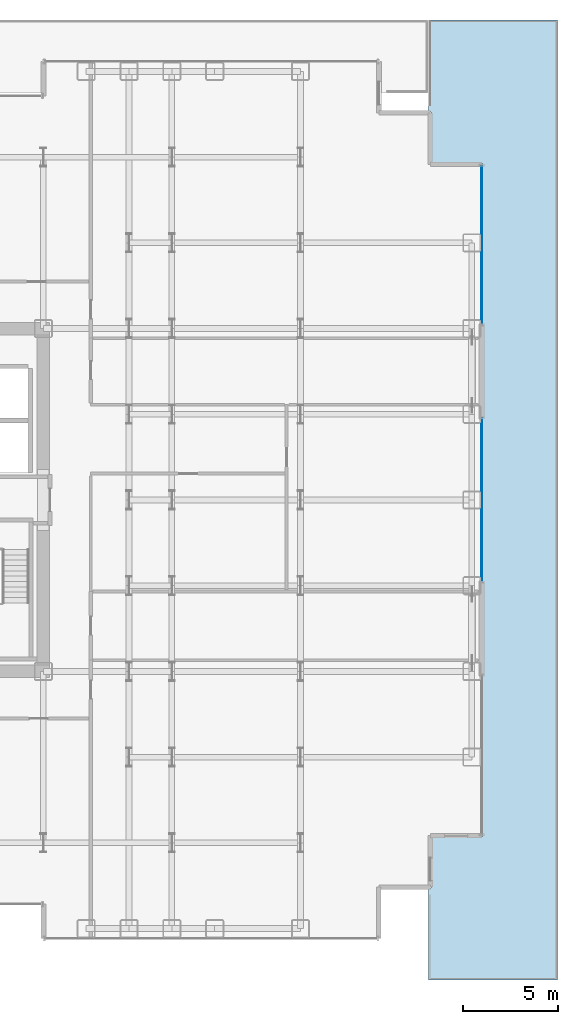
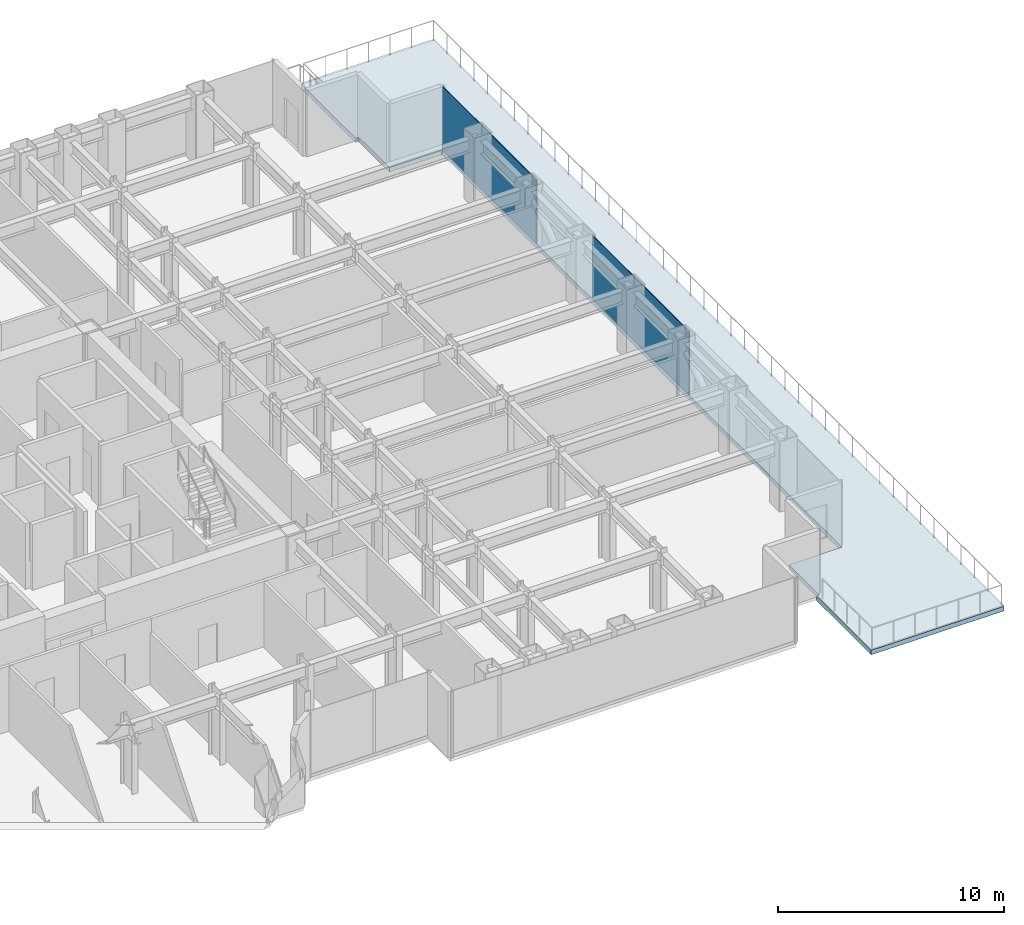
# One storey, part 20 of 30: 2 plates, 1 slab, 2 elements without a shape of their own.
"""IFC4 building model written with IfcOpenShell, lengths in metres."""

from ifc_helpers import new_model, si_unit, direction, frame, origin, origin_2d, place, context, subcontext, project, spatial, polyline, rectangle, outline, extrude, source, transform, mapped, material, layer, layer_set, type_object, element, aggregate, save


model = new_model("IFC4")

# Units and contexts
model_context = context("Model", 3, precision=1e-05, world=origin(), true_north=direction((0.0, 1.0)))
body_context = subcontext(model_context, "Body", "Model", "MODEL_VIEW")
ifc_project = project(units=[si_unit("LENGTHUNIT", "METRE"), si_unit("AREAUNIT", "SQUARE_METRE"), si_unit("VOLUMEUNIT", "CUBIC_METRE"), si_unit("PLANEANGLEUNIT", "RADIAN"), si_unit("MASSUNIT", "GRAM", prefix="KILO")], contexts=[model_context])

# Site, building, storey
site_placement = place(None, origin())
site = spatial("IfcSite", under=ifc_project, at=site_placement, CompositionType="ELEMENT")
building_placement = place(site_placement, origin())
building = spatial("IfcBuilding", under=site, at=building_placement, Name="Nefas-Gora Pilgrimage Tower", CompositionType="ELEMENT")
storey_placement = place(building_placement, frame((0.0, 0.0, 33.0)))
storey = spatial("IfcBuildingStorey", under=building, at=storey_placement, Name="L06", CompositionType="ELEMENT", Elevation=33.0)

# Slab
ifc_material_1 = material(Name="Concrete C45/55", Category="concrete")
ifc_layer_1 = layer(ifc_material_1, 0.25)
ifc_layer_set_1 = layer_set([ifc_layer_1], Name="Concrete C45/55")
slab_type = type_object("IfcSlabType", Name="SLB-TER-L06-2", PredefinedType="ROOF", material=ifc_layer_set_1)
slab_placement = place(storey_placement, frame((0.0, 0.0, -0.25)))
element("IfcSlab", 1, at=slab_placement, inside=storey, type_object=slab_type, Name="L06 Outdoor Sky Terrace Slab TER-L06-2", PredefinedType="ROOF", context=body_context, shape_type="SweptSolid", body=[
    extrude(outline(polyline([(31.469970703125, 25.199951171875), (31.469970703125, 20.3701171875), (31.570068359375, 20.3701171875), (31.574951171875, 20.369873046875), (31.579833984375, 20.368896484375), (31.58447265625, 20.367919921875), (31.589111328125, 20.3662109375), (31.593505859375, 20.364013671875), (31.597900390625, 20.361572265625), (31.601806640625, 20.358642578125), (31.60546875, 20.35546875), (31.608642578125, 20.351806640625), (31.611572265625, 20.347900390625), (31.614013671875, 20.343505859375), (31.6162109375, 20.339111328125), (31.617919921875, 20.33447265625), (31.618896484375, 20.329833984375), (31.619873046875, 20.324951171875), (31.6201171875, 20.320068359375), (31.6201171875, 17.669921875), (34.27001953125, 17.669921875), (34.27490234375, 17.669921875), (34.27978515625, 17.6689453125), (34.284423828125, 17.667724609375), (34.2890625, 17.666259765625), (34.293701171875, 17.6640625), (34.2978515625, 17.66162109375), (34.3017578125, 17.65869140625), (34.305419921875, 17.655517578125), (34.30859375, 17.651611328125), (34.3115234375, 17.647705078125), (34.314208984375, 17.6435546875), (34.316162109375, 17.63916015625), (34.31787109375, 17.634521484375), (34.319091796875, 17.6298828125), (34.31982421875, 17.625), (34.320068359375, 17.6201171875), (34.320068359375, -17.6201171875), (34.31982421875, -17.625), (34.319091796875, -17.6298828125), (34.31787109375, -17.634521484375), (34.316162109375, -17.63916015625), (34.314208984375, -17.6435546875), (34.3115234375, -17.647705078125), (34.30859375, -17.651611328125), (34.305419921875, -17.655517578125), (34.3017578125, -17.65869140625), (34.2978515625, -17.66162109375), (34.293701171875, -17.6640625), (34.2890625, -17.666259765625), (34.284423828125, -17.667724609375), (34.27978515625, -17.6689453125), (34.27490234375, -17.669921875), (34.27001953125, -17.669921875), (31.6201171875, -17.669921875), (31.6201171875, -20.320068359375), (31.619873046875, -20.324951171875), (31.618896484375, -20.329833984375), (31.617919921875, -20.33447265625), (31.6162109375, -20.339111328125), (31.614013671875, -20.343505859375), (31.611572265625, -20.347900390625), (31.608642578125, -20.351806640625), (31.60546875, -20.35546875), (31.601806640625, -20.358642578125), (31.597900390625, -20.361572265625), (31.593505859375, -20.364013671875), (31.589111328125, -20.3662109375), (31.58447265625, -20.367919921875), (31.579833984375, -20.368896484375), (31.574951171875, -20.369873046875), (31.570068359375, -20.3701171875), (31.469970703125, -20.3701171875), (31.469970703125, -25.199951171875), (38.25, -25.199951171875), (38.25, 25.199951171875), (31.469970703125, 25.199951171875)])), origin(), (0.0, 0.0, 1.0), 0.25),
])

# Curtain wall, plate
ifc_material_2 = material(Name="Dark ceramic-fritted solar-control aluminium-glass curtain wall", Category="aluminium")
ifc_layer_2 = layer(ifc_material_2, 0.219970703125)
ifc_layer_set_2 = layer_set([ifc_layer_2], Name="Dark ceramic-fritted solar-control aluminium-glass curtain wall")
curtain_wall_type = type_object("IfcCurtainWallType", Name="CW-SYS-2", PredefinedType="NOTDEFINED", material=ifc_layer_set_2)
curtain_wall_1_placement = place(storey_placement, origin())
curtain_wall_1 = element("IfcCurtainWall", 2, at=curtain_wall_1_placement, inside=storey, type_object=curtain_wall_type, Name="L06 Unitised Curtain Wall CW2", PredefinedType="NOTDEFINED")
ifc_material_3 = material(Name="Dark ceramic-printed low-e insulated glass", Category="glass")
ifc_layer_3 = layer(ifc_material_3, 0.031982421875)
ifc_layer_set_3 = layer_set([ifc_layer_3], Name="Dark ceramic-printed low-e insulated glass")
plate_type = type_object("IfcPlateType", Name="CWP-PNL-2", PredefinedType="CURTAIN_PANEL", material=ifc_layer_set_3)
shared_shape_1 = source(origin(), body_context, "Body", "SweptSolid", [
    extrude(rectangle(XDim=8.2900390625, YDim=0.031982421875, at=origin_2d()), origin(), (0.0, 0.0, 1.0), 3.43994140625),
])
plate_1_placement = place(storey_placement, frame((34.27001953125, 13.385009765625, 0.10009765625), z_axis=(0.0, 0.0, 1.0), x_axis=(0.0, 1.0, 0.0)))
plate_1 = element("IfcPlate", 3, at=plate_1_placement, type_object=plate_type, Name="CW2 Ceramic-Fritted Glazing Panel 1", PredefinedType="CURTAIN_PANEL", context=body_context, shape_type="MappedRepresentation", body=[
    mapped(shared_shape_1, transform((0.0, 0.0, 0.0), x_axis=(1.0, 0.0, 0.0), y_axis=(0.0, 1.0, 0.0), z_axis=(0.0, 0.0, 1.0), scale=1.0)),
])
aggregate(curtain_wall_1, [plate_1])

curtain_wall_2_placement = place(storey_placement, origin())
curtain_wall_2 = element("IfcCurtainWall", 4, at=curtain_wall_2_placement, inside=storey, type_object=curtain_wall_type, Name="L06 Unitised Curtain Wall CW2", PredefinedType="NOTDEFINED")
shared_shape_2 = source(origin(), body_context, "Body", "SweptSolid", [
    extrude(rectangle(XDim=8.52001953125, YDim=0.031982421875, at=origin_2d()), origin(), (0.0, 0.0, 1.0), 3.43994140625),
])
plate_2_placement = place(storey_placement, frame((34.27001953125, 0.0, 0.10009765625), z_axis=(0.0, 0.0, 1.0), x_axis=(0.0, 1.0, 0.0)))
plate_2 = element("IfcPlate", 5, at=plate_2_placement, type_object=plate_type, Name="CW2 Ceramic-Fritted Glazing Panel 1", PredefinedType="CURTAIN_PANEL", context=body_context, shape_type="MappedRepresentation", body=[
    mapped(shared_shape_2, transform((0.0, 0.0, 0.0), x_axis=(1.0, 0.0, 0.0), y_axis=(0.0, 1.0, 0.0), z_axis=(0.0, 0.0, 1.0), scale=1.0)),
])
aggregate(curtain_wall_2, [plate_2])

save(model, "model.ifc")
